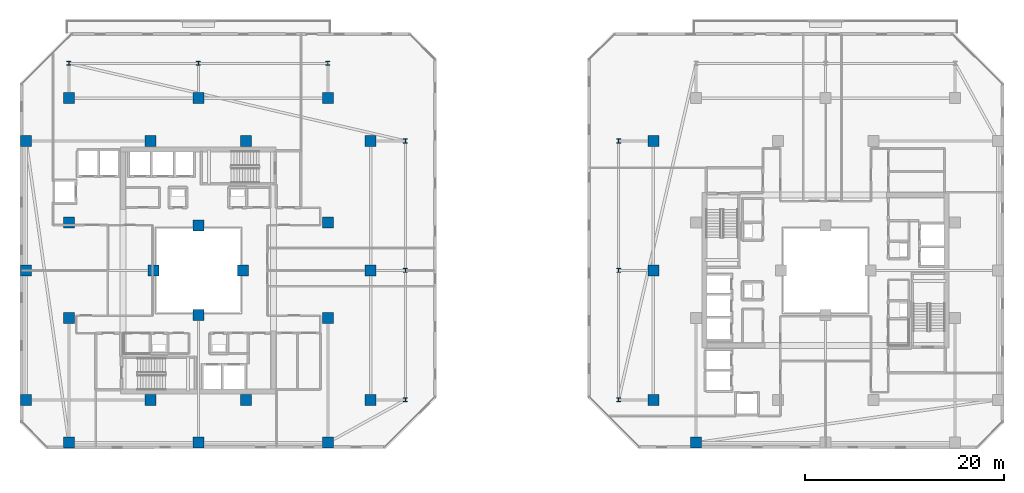
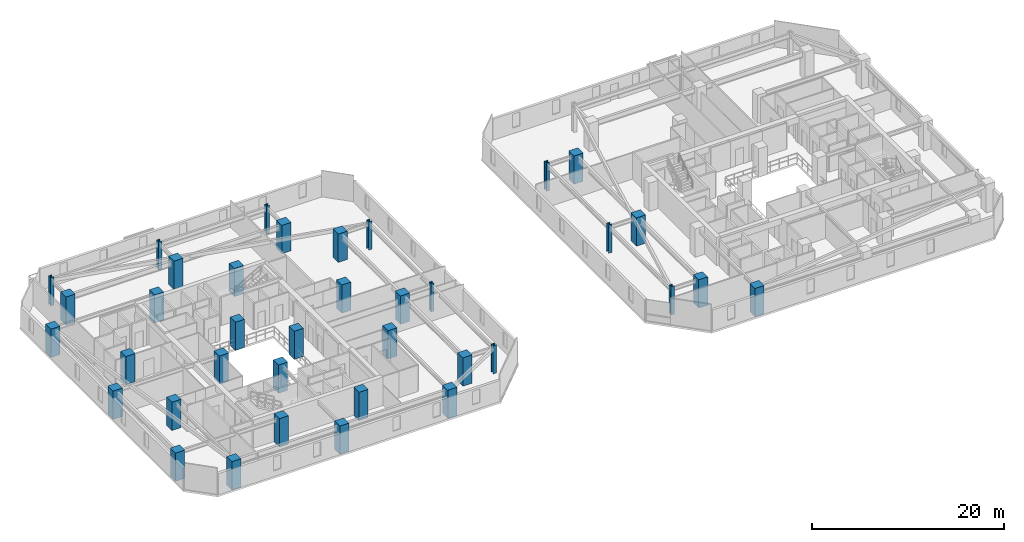
# One storey, part 1 of 33: 37 columns.
"""IFC4 building model written with IfcOpenShell, lengths in metres."""

from ifc_helpers import new_model, si_unit, direction, frame, origin, origin_2d, place, context, subcontext, project, spatial, rectangle, i_section, extrude, material, material_profile, profile_set, type_object, element, save


model = new_model("IFC4")

# Units and contexts
model_context = context("Model", 3, precision=1e-05, world=origin(), true_north=direction((0.0, 1.0)))
body_context = subcontext(model_context, "Body", "Model", "MODEL_VIEW")
ifc_project = project(units=[si_unit("LENGTHUNIT", "METRE"), si_unit("AREAUNIT", "SQUARE_METRE"), si_unit("VOLUMEUNIT", "CUBIC_METRE"), si_unit("PLANEANGLEUNIT", "RADIAN"), si_unit("MASSUNIT", "GRAM", prefix="KILO")], contexts=[model_context])

# Site, building, storey
site_placement = place(None, origin())
site = spatial("IfcSite", under=ifc_project, at=site_placement, CompositionType="ELEMENT")
building_placement = place(site_placement, origin())
building = spatial("IfcBuilding", under=site, at=building_placement, Name="Thornwick Lancets Civic Towers", CompositionType="ELEMENT")
storey_placement = place(building_placement, frame((0.0, 0.0, 189.300048828125)))
storey = spatial("IfcBuildingStorey", under=building, at=storey_placement, Name="L50", CompositionType="ELEMENT", Elevation=189.300048828125)

# Columns
ifc_material_1 = material(Name="Concrete C50/60", Category="concrete")
ifc_material_profile_1 = material_profile(ifc_material_1, rectangle(XDim=1.10009765625, YDim=1.10009765625, at=origin_2d()), Name="RC 1100x1100")
ifc_profile_set_1 = profile_set([ifc_material_profile_1], Name="Concrete C50/60")
column_type_1 = type_object("IfcColumnType", Name="COL_RC_1100", PredefinedType="COLUMN", material=ifc_profile_set_1)
for number, where, z_axis, x_axis, name in (
    (1, (12.5, 9.699951171875, 0.0), (0.0, 0.0, 1.0), (1.0, 0.0, 0.0), "L50 Spine Mega-Column A01"),
    (2, (25.5, 9.699951171875, 0.0), (0.0, 0.0, 1.0), (1.0, 0.0, 0.0), "L50 Spine Mega-Column A02"),
    (3, (38.5, 9.699951171875, 0.0), (0.0, 0.0, 1.0), (1.0, 0.0, 0.0), "L50 Spine Mega-Column A03"),
    (4, (42.800048828125, 14.0, 0.0), (0.0, 0.0, 1.0), (1.0, 0.0, 0.0), "L50 Spine Mega-Column A04"),
    (5, (42.800048828125, 27.0, 0.0), (0.0, 0.0, 1.0), (1.0, 0.0, 0.0), "L50 Spine Mega-Column A05"),
    (6, (42.800048828125, 40.0, 0.0), (0.0, 0.0, 1.0), (1.0, 0.0, 0.0), "L50 Spine Mega-Column A06"),
    (7, (12.5, 44.300048828125, 0.0), (0.0, 0.0, 1.0), (1.0, 0.0, 0.0), "L50 Spine Mega-Column A07"),
    (8, (25.5, 44.300048828125, 0.0), (0.0, 0.0, 1.0), (1.0, 0.0, 0.0), "L50 Spine Mega-Column A08"),
    (9, (38.5, 44.300048828125, 0.0), (0.0, 0.0, 1.0), (1.0, 0.0, 0.0), "L50 Spine Mega-Column A09"),
    (10, (8.199951171875, 14.0, 0.0), (0.0, 0.0, 1.0), (1.0, 0.0, 0.0), "L50 Spine Mega-Column A10"),
    (11, (8.199951171875, 27.0, 0.0), (0.0, 0.0, 1.0), (1.0, 0.0, 0.0), "L50 Spine Mega-Column A11"),
    (12, (8.199951171875, 40.0, 0.0), (0.0, 0.0, 1.0), (1.0, 0.0, 0.0), "L50 Spine Mega-Column A12"),
    (13, (12.5, 22.199951171875, 0.0), (0.0, 0.0, 1.0), (1.0, 0.0, 0.0), "L50 Spine Mega-Column A13"),
    (14, (38.5, 22.199951171875, 0.0), (0.0, 0.0, 1.0), (1.0, 0.0, 0.0), "L50 Spine Mega-Column A14"),
    (15, (12.5, 31.800048828125, 0.0), (0.0, 0.0, 1.0), (1.0, 0.0, 0.0), "L50 Spine Mega-Column A15"),
    (16, (38.5, 31.800048828125, 0.0), (0.0, 0.0, 1.0), (1.0, 0.0, 0.0), "L50 Spine Mega-Column A16"),
    (17, (20.699951171875, 14.0, 0.0), (0.0, 0.0, 1.0), (1.0, 0.0, 0.0), "L50 Spine Mega-Column A17"),
    (18, (30.300048828125, 14.0, 0.0), (0.0, 0.0, 1.0), (1.0, 0.0, 0.0), "L50 Spine Mega-Column A18"),
    (19, (20.699951171875, 40.0, 0.0), (0.0, 0.0, 1.0), (1.0, 0.0, 0.0), "L50 Spine Mega-Column A19"),
    (20, (30.300048828125, 40.0, 0.0), (0.0, 0.0, 1.0), (1.0, 0.0, 0.0), "L50 Spine Mega-Column A20"),
    (21, (25.5, 22.5, 0.0), (0.0, 0.0, 1.0), (1.0, 0.0, 0.0), "L50 Spine Mega-Column A21"),
    (22, (25.5, 31.5, 0.0), (0.0, 0.0, 1.0), (1.0, 0.0, 0.0), "L50 Spine Mega-Column A22"),
    (23, (21.0, 27.0, 0.0), (0.0, 0.0, 1.0), (1.0, 0.0, 0.0), "L50 Spine Mega-Column A23"),
    (24, (30.0, 27.0, 0.0), (0.0, 0.0, 1.0), (1.0, 0.0, 0.0), "L50 Spine Mega-Column A24"),
    (25, (71.199951171875, 14.0, 0.0), (0.0, 0.0, 1.0), (1.0, 0.0, 0.0), "L50 Spine Mega-Column B07"),
    (26, (71.199951171875, 27.0, 0.0), (0.0, 0.0, 1.0), (1.0, 0.0, 0.0), "L50 Spine Mega-Column B08"),
    (27, (71.199951171875, 40.0, 0.0), (0.0, 0.0, 1.0), (1.0, 0.0, 0.0), "L50 Spine Mega-Column B09"),
    (28, (75.5, 9.699951171875, 0.0), (0.0, 0.0, 1.0), (1.0, 0.0, 0.0), "L50 Spine Mega-Column B12"),
):
    element("IfcColumn", number, at=place(storey_placement, frame(where, z_axis=z_axis, x_axis=x_axis)), inside=storey, type_object=column_type_1, Name=name, PredefinedType="COLUMN", context=body_context, shape_type="SweptSolid", body=[
        extrude(rectangle(XDim=1.10009765625, YDim=1.10009765625, at=origin_2d()), origin(), (0.0, 0.0, 1.0), 3.599853515625),
    ])
ifc_material_2 = material(Name="Steel S460M", Category="steel")
ifc_material_profile_2 = material_profile(ifc_material_2, i_section(OverallWidth=0.406982421875, OverallDepth=0.4189453125, WebThickness=0.030517578125, FlangeThickness=0.04931640625, FilletRadius=0.01513671875, at=origin_2d()), Name="UKC 356x406x393")
ifc_profile_set_2 = profile_set([ifc_material_profile_2], Name="Steel S460M")
column_type_2 = type_object("IfcColumnType", Name="COL_UKC_393", PredefinedType="COLUMN", material=ifc_profile_set_2)
for number, where, z_axis, x_axis, name in (
    (29, (46.300048828125, 14.0, 0.0), (0.0, 0.0, 1.0), (1.0, 0.0, 0.0), "L50 Block Perimeter Column A04"),
    (30, (46.300048828125, 27.0, 0.0), (0.0, 0.0, 1.0), (1.0, 0.0, 0.0), "L50 Block Perimeter Column A05"),
    (31, (46.300048828125, 40.0, 0.0), (0.0, 0.0, 1.0), (1.0, 0.0, 0.0), "L50 Block Perimeter Column A06"),
    (32, (12.5, 47.800048828125, 0.0), (0.0, 0.0, 1.0), (1.0, 0.0, 0.0), "L50 Block Perimeter Column A07"),
    (33, (25.5, 47.800048828125, 0.0), (0.0, 0.0, 1.0), (1.0, 0.0, 0.0), "L50 Block Perimeter Column A08"),
    (34, (38.5, 47.800048828125, 0.0), (0.0, 0.0, 1.0), (1.0, 0.0, 0.0), "L50 Block Perimeter Column A09"),
    (35, (67.699951171875, 14.0, 0.0), (0.0, 0.0, 1.0), (1.0, 0.0, 0.0), "L50 Block Perimeter Column B07"),
    (36, (67.699951171875, 27.0, 0.0), (0.0, 0.0, 1.0), (1.0, 0.0, 0.0), "L50 Block Perimeter Column B08"),
    (37, (67.699951171875, 40.0, 0.0), (0.0, 0.0, 1.0), (1.0, 0.0, 0.0), "L50 Block Perimeter Column B09"),
):
    element("IfcColumn", number, at=place(storey_placement, frame(where, z_axis=z_axis, x_axis=x_axis)), inside=storey, type_object=column_type_2, Name=name, PredefinedType="COLUMN", context=body_context, shape_type="SweptSolid", body=[
        extrude(i_section(OverallWidth=0.406982421875, OverallDepth=0.4189453125, WebThickness=0.030517578125, FlangeThickness=0.04931640625, FilletRadius=0.01513671875, at=origin_2d()), origin(), (0.0, 0.0, 1.0), 3.599853515625),
    ])

save(model, "model.ifc")
